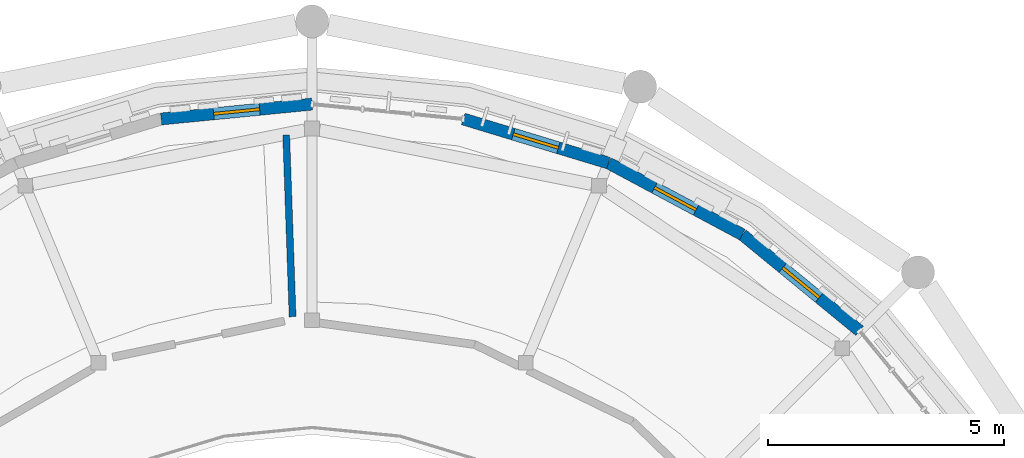
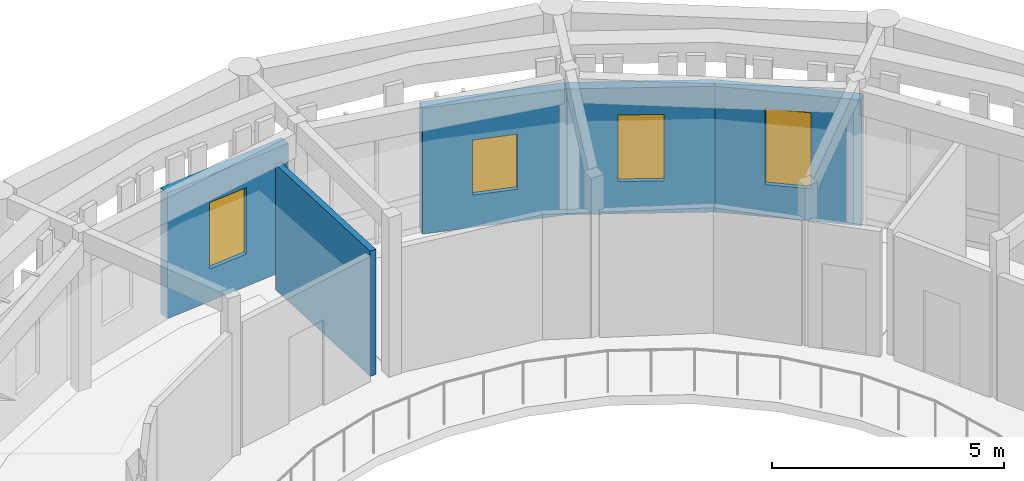
# One storey, part 49 of 80: 5 walls, 4 windows, 4 openings.
"""IFC4 building model written with IfcOpenShell, lengths in metres."""

from ifc_helpers import new_model, si_unit, direction, frame, frame_2d, origin, place, context, subcontext, project, spatial, rectangle, extrude, material, layer, layer_set, type_object, element, fill, save


model = new_model("IFC4")

# Units and contexts
model_context = context("Model", 3, precision=1e-05, world=origin(), true_north=direction((0.0, 1.0)))
body_context = subcontext(model_context, "Body", "Model", "MODEL_VIEW")
ifc_project = project(units=[si_unit("LENGTHUNIT", "METRE"), si_unit("AREAUNIT", "SQUARE_METRE"), si_unit("VOLUMEUNIT", "CUBIC_METRE"), si_unit("PLANEANGLEUNIT", "RADIAN"), si_unit("MASSUNIT", "GRAM", prefix="KILO")], contexts=[model_context])

# Site, building, storey
site_placement = place(None, origin())
site = spatial("IfcSite", under=ifc_project, at=site_placement, CompositionType="ELEMENT")
building_placement = place(site_placement, origin())
building = spatial("IfcBuilding", under=site, at=building_placement, Name="Aldenvaro Health Centre", CompositionType="ELEMENT")
storey_placement = place(building_placement, frame((0.0, 0.0, 4.550048828125)))
storey = spatial("IfcBuildingStorey", under=building, at=storey_placement, Name="L01", CompositionType="ELEMENT", Elevation=4.550048828125)

# Wall
ifc_material_1 = material(Name="Gypsum Stud Acoustic Assembly")
ifc_layer_1 = layer(ifc_material_1, 0.14501953125, Name="Gypsum Stud Acoustic Assembly")
ifc_layer_set_1 = layer_set([ifc_layer_1], Name="Gypsum Stud Acoustic Assembly")
wall_type_1 = type_object("IfcWallType", Name="WL-CLN-145", PredefinedType="PARTITIONING", material=ifc_layer_set_1)
wall_1_placement = place(storey_placement, frame((86.5849609375, 31.89599609375, 0.0), z_axis=(0.0, 0.0, 1.0), x_axis=(-0.035065029067, 0.999385032776, 0.0)))
element("IfcWall", 1, at=wall_1_placement, inside=storey, type_object=wall_type_1, Name="D1 L01 clinical partition 2.1", PredefinedType="PARTITIONING", context=body_context, shape_type="SweptSolid", body=[
    extrude(rectangle(XDim=3.850341796875, YDim=0.14501953125, at=frame_2d((1.92529296875, 0.0))), origin(), (0.0, 0.0, 1.0), 3.300048828125),
])

# Wall, opening, window
ifc_material_2 = material(Name="Cross-laminated timber CLT E1", Category="wood")
ifc_layer_2 = layer(ifc_material_2, 0.2548828125, Name="Cross-laminated timber CLT E1", Category="wood")
ifc_layer_set_2 = layer_set([ifc_layer_2], Name="Cross-laminated timber CLT E1")
wall_type_2 = type_object("IfcWallType", Name="WL-EXT-255", PredefinedType="ELEMENTEDWALL", material=ifc_layer_set_2)
wall_2_placement = place(storey_placement, frame((83.801025390625, 36.0849609375, 0.0), z_axis=(0.0, 0.0, 1.0), x_axis=(0.995188673637, 0.097977057849, 0.0)))
wall_2 = element("IfcWall", 2, at=wall_2_placement, inside=storey, type_object=wall_type_2, Name="D1 L01 exterior wall 24", PredefinedType="ELEMENTEDWALL", context=body_context, shape_type="SweptSolid", body=[
    extrude(rectangle(XDim=3.21435546875, YDim=0.2548828125, at=frame_2d((1.607177734375, 0.0))), origin(), (0.0, 0.0, 1.0), 3.31396484375),
])
opening_1_placement = place(wall_2_placement, frame((1.116943359375, 0.0, 0.85009765625)))
opening_1 = element("IfcOpeningElement", 3, at=opening_1_placement, cuts=wall_2, Name="Opening W-14", PredefinedType="OPENING", context=body_context, shape_type="SweptSolid", body=[
    extrude(rectangle(XDim=0.97998046875, YDim=1.75, at=frame_2d((0.489990234375, 0.875))), frame((0.0, 0.137451171875, 0.0), z_axis=(0.0, -1.0, 0.0), x_axis=(1.0, 0.0, 0.0)), (0.0, 0.0, 1.0), 0.27490234375),
])
ifc_material_3 = material(Name="Thermally Broken Aluminium Low-E Glass", Category="aluminium")
window_type_1 = type_object("IfcWindowType", Name="WN-EXT-14", PartitioningType="SINGLE_PANEL", PredefinedType="WINDOW", material=ifc_material_3)
window_1_placement = place(opening_1_placement, origin())
window_1 = element("IfcWindow", 4, at=window_1_placement, inside=storey, type_object=window_type_1, Name="D1 L01 clinical window 24", OverallHeight=1.75, OverallWidth=0.97998046875, PartitioningType="SINGLE_PANEL", PredefinedType="WINDOW", context=body_context, shape_type="SweptSolid", body=[
    extrude(rectangle(XDim=0.97998046875, YDim=1.75, at=frame_2d((0.489990234375, 0.875))), frame((0.0, 0.030029296875, 0.0), z_axis=(0.0, -1.0, 0.0), x_axis=(1.0, 0.0, 0.0)), (0.0, 0.0, 1.0), 0.06005859375),
])
fill(opening_1, window_1)

wall_3_placement = place(storey_placement, frame((90.198974609375, 36.0849609375, 0.0), z_axis=(0.0, 0.0, 1.0), x_axis=(0.956984161567, -0.29014016356, 0.0)))
wall_3 = element("IfcWall", 5, at=wall_3_placement, inside=storey, type_object=wall_type_2, Name="D1 L01 exterior wall 26", PredefinedType="ELEMENTEDWALL", context=body_context, shape_type="SweptSolid", body=[
    extrude(rectangle(XDim=3.215087890625, YDim=0.2548828125, at=frame_2d((1.607421875, 0.0))), origin(), (0.0, 0.0, 1.0), 3.31396484375),
])
opening_2_placement = place(wall_3_placement, frame((1.10791015625, 0.0, 0.85009765625)))
opening_2 = element("IfcOpeningElement", 6, at=opening_2_placement, cuts=wall_3, Name="Opening W-15", PredefinedType="OPENING", context=body_context, shape_type="SweptSolid", body=[
    extrude(rectangle(XDim=1.0, YDim=1.449951171875, at=frame_2d((0.5, 0.72509765625))), frame((0.0, 0.137451171875, 0.0), z_axis=(0.0, -1.0, 0.0), x_axis=(1.0, 0.0, 0.0)), (0.0, 0.0, 1.0), 0.27490234375),
])
window_type_2 = type_object("IfcWindowType", Name="WN-EXT-15", PartitioningType="SINGLE_PANEL", PredefinedType="WINDOW", material=ifc_material_3)
window_2_placement = place(opening_2_placement, origin())
window_2 = element("IfcWindow", 7, at=window_2_placement, inside=storey, type_object=window_type_2, Name="D1 L01 clinical window 26", OverallHeight=1.449951171875, OverallWidth=1.0, PartitioningType="SINGLE_PANEL", PredefinedType="WINDOW", context=body_context, shape_type="SweptSolid", body=[
    extrude(rectangle(XDim=1.0, YDim=1.449951171875, at=frame_2d((0.5, 0.72509765625))), frame((0.0, 0.030029296875, 0.0), z_axis=(0.0, -1.0, 0.0), x_axis=(1.0, 0.0, 0.0)), (0.0, 0.0, 1.0), 0.06005859375),
])
fill(opening_2, window_2)

wall_4_placement = place(storey_placement, frame((93.27587890625, 35.152099609375, 0.0), z_axis=(0.0, 0.0, 1.0), x_axis=(0.881835313523, -0.47155750426, 0.0)))
wall_4 = element("IfcWall", 8, at=wall_4_placement, inside=storey, type_object=wall_type_2, Name="D1 L01 exterior wall 27", PredefinedType="ELEMENTEDWALL", context=body_context, shape_type="SweptSolid", body=[
    extrude(rectangle(XDim=3.215087890625, YDim=0.2548828125, at=frame_2d((1.607421875, 0.0))), origin(), (0.0, 0.0, 1.0), 3.31396484375),
])
opening_3_placement = place(wall_4_placement, frame((1.10693359375, 0.0, 0.85009765625)))
opening_3 = element("IfcOpeningElement", 9, at=opening_3_placement, cuts=wall_4, Name="Opening W-16", PredefinedType="OPENING", context=body_context, shape_type="SweptSolid", body=[
    extrude(rectangle(XDim=1.0, YDim=1.75, at=frame_2d((0.5, 0.875))), frame((0.0, 0.137451171875, 0.0), z_axis=(0.0, -1.0, 0.0), x_axis=(1.0, 0.0, 0.0)), (0.0, 0.0, 1.0), 0.27490234375),
])
window_type_3 = type_object("IfcWindowType", Name="WN-EXT-16", PartitioningType="SINGLE_PANEL", PredefinedType="WINDOW", material=ifc_material_3)
window_3_placement = place(opening_3_placement, origin())
window_3 = element("IfcWindow", 10, at=window_3_placement, inside=storey, type_object=window_type_3, Name="D1 L01 clinical window 27", OverallHeight=1.75, OverallWidth=1.0, PartitioningType="SINGLE_PANEL", PredefinedType="WINDOW", context=body_context, shape_type="SweptSolid", body=[
    extrude(rectangle(XDim=1.0, YDim=1.75, at=frame_2d((0.5, 0.875))), frame((0.0, 0.030029296875, 0.0), z_axis=(0.0, -1.0, 0.0), x_axis=(1.0, 0.0, 0.0)), (0.0, 0.0, 1.0), 0.06005859375),
])
fill(opening_3, window_3)

wall_5_placement = place(storey_placement, frame((96.111083984375, 33.635986328125, 0.0), z_axis=(0.0, 0.0, 1.0), x_axis=(0.773165020866, -0.634204896314, 0.0)))
wall_5 = element("IfcWall", 11, at=wall_5_placement, inside=storey, type_object=wall_type_2, Name="D1 L01 exterior wall 28", PredefinedType="ELEMENTEDWALL", context=body_context, shape_type="SweptSolid", body=[
    extrude(rectangle(XDim=3.215087890625, YDim=0.2548828125, at=frame_2d((1.607421875, 0.0))), origin(), (0.0, 0.0, 1.0), 3.31396484375),
])
opening_4_placement = place(wall_5_placement, frame((1.10791015625, 0.0, 0.85009765625)))
opening_4 = element("IfcOpeningElement", 12, at=opening_4_placement, cuts=wall_5, Name="Opening W-17", PredefinedType="OPENING", context=body_context, shape_type="SweptSolid", body=[
    extrude(rectangle(XDim=1.0, YDim=2.0, at=frame_2d((0.5, 1.0))), frame((0.0, 0.137451171875, 0.0), z_axis=(0.0, -1.0, 0.0), x_axis=(1.0, 0.0, 0.0)), (0.0, 0.0, 1.0), 0.27490234375),
])
window_type_4 = type_object("IfcWindowType", Name="WN-EXT-17", PartitioningType="SINGLE_PANEL", PredefinedType="WINDOW", material=ifc_material_3)
window_4_placement = place(opening_4_placement, origin())
window_4 = element("IfcWindow", 13, at=window_4_placement, inside=storey, type_object=window_type_4, Name="D1 L01 clinical window 28", OverallHeight=2.0, OverallWidth=1.0, PartitioningType="SINGLE_PANEL", PredefinedType="WINDOW", context=body_context, shape_type="SweptSolid", body=[
    extrude(rectangle(XDim=1.0, YDim=2.0, at=frame_2d((0.5, 1.0))), frame((0.0, 0.030029296875, 0.0), z_axis=(0.0, -1.0, 0.0), x_axis=(1.0, 0.0, 0.0)), (0.0, 0.0, 1.0), 0.06005859375),
])
fill(opening_4, window_4)

save(model, "model.ifc")
